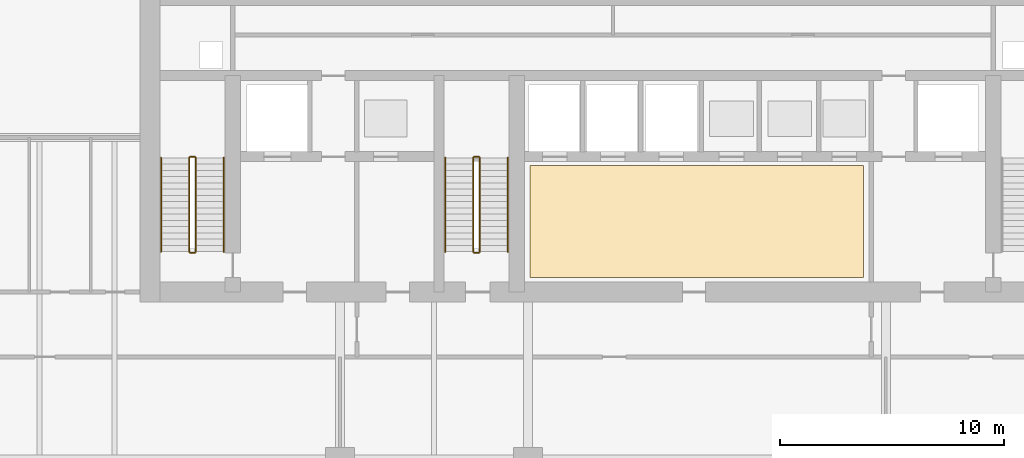
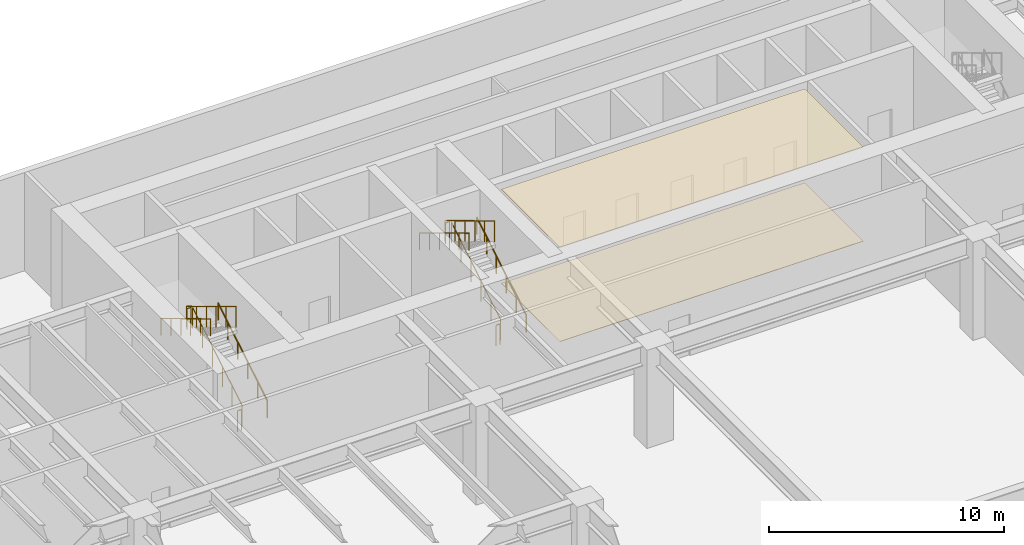
# One storey, part 9 of 11: 12 railings, 2 coverings.
"""IFC4 building model written with IfcOpenShell, lengths in metres."""

from ifc_helpers import new_model, si_unit, direction, frame, origin, origin_2d, place, context, subcontext, project, spatial, polyline, circle, outline, extrude, material, layer, layer_set, type_object, element, save


model = new_model("IFC4")

# Units and contexts
model_context = context("Model", 3, precision=1e-05, world=origin(), true_north=direction((0.0, 1.0)))
body_context = subcontext(model_context, "Body", "Model", "MODEL_VIEW")
ifc_project = project(units=[si_unit("LENGTHUNIT", "METRE"), si_unit("AREAUNIT", "SQUARE_METRE"), si_unit("VOLUMEUNIT", "CUBIC_METRE"), si_unit("PLANEANGLEUNIT", "RADIAN"), si_unit("MASSUNIT", "GRAM", prefix="KILO")], contexts=[model_context])

# Site, building, storey
site_placement = place(None, origin())
site = spatial("IfcSite", under=ifc_project, at=site_placement, CompositionType="ELEMENT")
building_placement = place(site_placement, origin())
building = spatial("IfcBuilding", under=site, at=building_placement, Name="Caelmar Bay Residences", CompositionType="ELEMENT")
storey_placement = place(building_placement, origin())
storey = spatial("IfcBuildingStorey", under=building, at=storey_placement, Name="L00", CompositionType="ELEMENT", Elevation=0.0)

# Coverings
ifc_material_1 = material(Name="Perforated acoustic gypsum-mineral ceiling tile 20 mm")
ifc_layer_1 = layer(ifc_material_1, 0.02001953125)
ifc_layer_set_1 = layer_set([ifc_layer_1], Name="Perforated acoustic gypsum-mineral ceiling tile 20 mm")
covering_type_1 = type_object("IfcCoveringType", Name="COV-CEIL-20", PredefinedType="CEILING", material=ifc_layer_set_1)
covering_1_placement = place(storey_placement, frame((0.0, 0.0, 4.8798828125)))
element("IfcCovering", 1, at=covering_1_placement, inside=storey, type_object=covering_type_1, Name="L00 Lift Lobby Acoustic Ceiling", PredefinedType="CEILING", context=body_context, shape_type="SweptSolid", body=[
    extrude(outline(polyline([(35.199951171875, 37.550048828125), (50.10009765625, 37.550048828125), (50.10009765625, 42.550048828125), (35.199951171875, 42.550048828125), (35.199951171875, 37.550048828125)])), origin(), (0.0, 0.0, 1.0), 0.02001953125),
])
ifc_material_2 = material(Name="Honed terrazzo and engineered white-oak flooring 20 mm")
ifc_layer_2 = layer(ifc_material_2, 0.02001953125)
ifc_layer_set_2 = layer_set([ifc_layer_2], Name="Honed terrazzo and engineered white-oak flooring 20 mm")
covering_type_2 = type_object("IfcCoveringType", Name="COV-FLR-20", PredefinedType="FLOORING", material=ifc_layer_set_2)
covering_2_placement = place(storey_placement, origin())
element("IfcCovering", 2, at=covering_2_placement, inside=storey, type_object=covering_type_2, Name="L00 Lift Lobby Terrazzo Flooring", PredefinedType="FLOORING", context=body_context, shape_type="SweptSolid", body=[
    extrude(outline(polyline([(35.199951171875, 37.550048828125), (50.10009765625, 37.550048828125), (50.10009765625, 42.550048828125), (35.199951171875, 42.550048828125), (35.199951171875, 37.550048828125)])), origin(), (0.0, 0.0, 1.0), 0.02001953125),
])

# Railings
ifc_material_3 = material(Name="Painted galvanized steel stair guard 1100 mm", Category="steel")
railing_type_1 = type_object("IfcRailingType", Name="RL-GRD-1100", PredefinedType="GUARDRAIL", material=ifc_material_3)
railing_1_placement = place(storey_placement, frame((20.25, 38.699951171875, 0.168701171875)))
element("IfcRailing", 3, at=railing_1_placement, inside=storey, type_object=railing_type_1, Name="L00 ST1 stair guard 1", PredefinedType="GUARDRAIL", context=body_context, shape_type="SweptSolid", body=[
    extrude(circle(Radius=0.02392578125, at=origin_2d()), frame((0.0, 0.0, 1.076171875), z_axis=(0.0, 0.856476492594, 0.516186030065), x_axis=(-1.0, 0.0, 0.0)), (0.0, 0.0, 1.0), 4.90380859375),
    extrude(circle(Radius=0.02099609375, at=origin_2d()), origin(), (0.0, 0.0, 1.0), 1.052001953125),
    extrude(circle(Radius=0.02099609375, at=origin_2d()), frame((0.0, 0.840087890625, 0.50634765625)), (0.0, 0.0, 1.0), 1.052001953125),
    extrude(circle(Radius=0.02099609375, at=origin_2d()), frame((0.0, 1.679931640625, 1.012451171875)), (0.0, 0.0, 1.0), 1.052001953125),
    extrude(circle(Radius=0.02099609375, at=origin_2d()), frame((0.0, 2.52001953125, 1.518798828125)), (0.0, 0.0, 1.0), 1.052001953125),
    extrude(circle(Radius=0.02099609375, at=origin_2d()), frame((0.0, 3.35986328125, 2.02490234375)), (0.0, 0.0, 1.0), 1.052001953125),
    extrude(circle(Radius=0.02099609375, at=origin_2d()), frame((0.0, 4.199951171875, 2.53125)), (0.0, 0.0, 1.0), 1.052001953125),
])
railing_2_placement = place(storey_placement, frame((20.199951171875, 42.949951171875, 2.699951171875)))
element("IfcRailing", 4, at=railing_2_placement, inside=storey, type_object=railing_type_1, Name="L00 ST1 stair guard 2", PredefinedType="GUARDRAIL", context=body_context, shape_type="SweptSolid", body=[
    extrude(circle(Radius=0.02392578125, at=origin_2d()), frame((0.0, 0.0, 1.076171875), z_axis=(-1.0, 0.0, 0.0), x_axis=(0.0, -1.0, 0.0)), (0.0, 0.0, 1.0), 0.199951171875),
    extrude(circle(Radius=0.02099609375, at=origin_2d()), origin(), (0.0, 0.0, 1.0), 1.052001953125),
    extrude(circle(Radius=0.02099609375, at=origin_2d()), frame((-0.199951171875, 0.0, 0.0)), (0.0, 0.0, 1.0), 1.052001953125),
])
railing_3_placement = place(storey_placement, frame((19.949951171875, 42.89990234375, 2.86865234375)))
element("IfcRailing", 5, at=railing_3_placement, inside=storey, type_object=railing_type_1, Name="L00 ST1 stair guard 3", PredefinedType="GUARDRAIL", context=body_context, shape_type="SweptSolid", body=[
    extrude(circle(Radius=0.02392578125, at=origin_2d()), frame((0.0, 0.0, 1.076171875), z_axis=(0.0, -0.856476492594, 0.516186030065), x_axis=(1.0, 0.0, 0.0)), (0.0, 0.0, 1.0), 4.90380859375),
    extrude(circle(Radius=0.02099609375, at=origin_2d()), origin(), (0.0, 0.0, 1.0), 1.052001953125),
    extrude(circle(Radius=0.02099609375, at=origin_2d()), frame((0.0, -0.840087890625, 0.50634765625)), (0.0, 0.0, 1.0), 1.052001953125),
    extrude(circle(Radius=0.02099609375, at=origin_2d()), frame((0.0, -1.679931640625, 1.012451171875)), (0.0, 0.0, 1.0), 1.052001953125),
    extrude(circle(Radius=0.02099609375, at=origin_2d()), frame((0.0, -2.52001953125, 1.518798828125)), (0.0, 0.0, 1.0), 1.052001953125),
    extrude(circle(Radius=0.02099609375, at=origin_2d()), frame((0.0, -3.35986328125, 2.02490234375)), (0.0, 0.0, 1.0), 1.052001953125),
    extrude(circle(Radius=0.02099609375, at=origin_2d()), frame((0.0, -4.199951171875, 2.53125)), (0.0, 0.0, 1.0), 1.052001953125),
])
railing_4_placement = place(storey_placement, frame((20.199951171875, 38.64990234375, 0.0)))
element("IfcRailing", 6, at=railing_4_placement, inside=storey, type_object=railing_type_1, Name="L00 ST1 stair guard 4", PredefinedType="GUARDRAIL", context=body_context, shape_type="SweptSolid", body=[
    extrude(circle(Radius=0.02392578125, at=origin_2d()), frame((0.0, 0.0, 1.076171875), z_axis=(-1.0, 0.0, 0.0), x_axis=(0.0, -1.0, 0.0)), (0.0, 0.0, 1.0), 0.199951171875),
    extrude(circle(Radius=0.02099609375, at=origin_2d()), origin(), (0.0, 0.0, 1.0), 1.052001953125),
    extrude(circle(Radius=0.02099609375, at=origin_2d()), frame((-0.199951171875, 0.0, 0.0)), (0.0, 0.0, 1.0), 1.052001953125),
])
railing_5_placement = place(storey_placement, frame((32.949951171875, 38.699951171875, 0.168701171875)))
element("IfcRailing", 7, at=railing_5_placement, inside=storey, type_object=railing_type_1, Name="L00 ST3 stair guard 1", PredefinedType="GUARDRAIL", context=body_context, shape_type="SweptSolid", body=[
    extrude(circle(Radius=0.02392578125, at=origin_2d()), frame((0.0, 0.0, 1.076171875), z_axis=(0.0, 0.856476492594, 0.516186030065), x_axis=(-1.0, 0.0, 0.0)), (0.0, 0.0, 1.0), 4.90380859375),
    extrude(circle(Radius=0.02099609375, at=origin_2d()), origin(), (0.0, 0.0, 1.0), 1.052001953125),
    extrude(circle(Radius=0.02099609375, at=origin_2d()), frame((0.0, 0.840087890625, 0.50634765625)), (0.0, 0.0, 1.0), 1.052001953125),
    extrude(circle(Radius=0.02099609375, at=origin_2d()), frame((0.0, 1.679931640625, 1.012451171875)), (0.0, 0.0, 1.0), 1.052001953125),
    extrude(circle(Radius=0.02099609375, at=origin_2d()), frame((0.0, 2.52001953125, 1.518798828125)), (0.0, 0.0, 1.0), 1.052001953125),
    extrude(circle(Radius=0.02099609375, at=origin_2d()), frame((0.0, 3.35986328125, 2.02490234375)), (0.0, 0.0, 1.0), 1.052001953125),
    extrude(circle(Radius=0.02099609375, at=origin_2d()), frame((0.0, 4.199951171875, 2.53125)), (0.0, 0.0, 1.0), 1.052001953125),
])
railing_6_placement = place(storey_placement, frame((32.89990234375, 42.949951171875, 2.699951171875)))
element("IfcRailing", 8, at=railing_6_placement, inside=storey, type_object=railing_type_1, Name="L00 ST3 stair guard 2", PredefinedType="GUARDRAIL", context=body_context, shape_type="SweptSolid", body=[
    extrude(circle(Radius=0.02392578125, at=origin_2d()), frame((0.0, 0.0, 1.076171875), z_axis=(-1.0, 0.0, 0.0), x_axis=(0.0, -1.0, 0.0)), (0.0, 0.0, 1.0), 0.199951171875),
    extrude(circle(Radius=0.02099609375, at=origin_2d()), origin(), (0.0, 0.0, 1.0), 1.052001953125),
    extrude(circle(Radius=0.02099609375, at=origin_2d()), frame((-0.199951171875, 0.0, 0.0)), (0.0, 0.0, 1.0), 1.052001953125),
])
railing_7_placement = place(storey_placement, frame((32.64990234375, 42.89990234375, 2.86865234375)))
element("IfcRailing", 9, at=railing_7_placement, inside=storey, type_object=railing_type_1, Name="L00 ST3 stair guard 3", PredefinedType="GUARDRAIL", context=body_context, shape_type="SweptSolid", body=[
    extrude(circle(Radius=0.02392578125, at=origin_2d()), frame((0.0, 0.0, 1.076171875), z_axis=(0.0, -0.856476492594, 0.516186030065), x_axis=(1.0, 0.0, 0.0)), (0.0, 0.0, 1.0), 4.90380859375),
    extrude(circle(Radius=0.02099609375, at=origin_2d()), origin(), (0.0, 0.0, 1.0), 1.052001953125),
    extrude(circle(Radius=0.02099609375, at=origin_2d()), frame((0.0, -0.840087890625, 0.50634765625)), (0.0, 0.0, 1.0), 1.052001953125),
    extrude(circle(Radius=0.02099609375, at=origin_2d()), frame((0.0, -1.679931640625, 1.012451171875)), (0.0, 0.0, 1.0), 1.052001953125),
    extrude(circle(Radius=0.02099609375, at=origin_2d()), frame((0.0, -2.52001953125, 1.518798828125)), (0.0, 0.0, 1.0), 1.052001953125),
    extrude(circle(Radius=0.02099609375, at=origin_2d()), frame((0.0, -3.35986328125, 2.02490234375)), (0.0, 0.0, 1.0), 1.052001953125),
    extrude(circle(Radius=0.02099609375, at=origin_2d()), frame((0.0, -4.199951171875, 2.53125)), (0.0, 0.0, 1.0), 1.052001953125),
])
railing_8_placement = place(storey_placement, frame((32.89990234375, 38.64990234375, 0.0)))
element("IfcRailing", 10, at=railing_8_placement, inside=storey, type_object=railing_type_1, Name="L00 ST3 stair guard 4", PredefinedType="GUARDRAIL", context=body_context, shape_type="SweptSolid", body=[
    extrude(circle(Radius=0.02392578125, at=origin_2d()), frame((0.0, 0.0, 1.076171875), z_axis=(-1.0, 0.0, 0.0), x_axis=(0.0, -1.0, 0.0)), (0.0, 0.0, 1.0), 0.199951171875),
    extrude(circle(Radius=0.02099609375, at=origin_2d()), origin(), (0.0, 0.0, 1.0), 1.052001953125),
    extrude(circle(Radius=0.02099609375, at=origin_2d()), frame((-0.199951171875, 0.0, 0.0)), (0.0, 0.0, 1.0), 1.052001953125),
])
ifc_material_4 = material(Name="Brushed bronze stainless-steel tubular handrail 900 mm", Category="steel")
railing_type_2 = type_object("IfcRailingType", Name="RL-HND-900", PredefinedType="HANDRAIL", material=ifc_material_4)
railing_9_placement = place(storey_placement, frame((21.5, 38.699951171875, 0.168701171875)))
element("IfcRailing", 11, at=railing_9_placement, inside=storey, type_object=railing_type_2, Name="L00 ST1 stair handrail 1", PredefinedType="HANDRAIL", context=body_context, shape_type="SweptSolid", body=[
    extrude(circle(Radius=0.02392578125, at=origin_2d()), frame((0.0, 0.0, 0.8759765625), z_axis=(0.0, 0.856476492594, 0.516186030065), x_axis=(-1.0, 0.0, 0.0)), (0.0, 0.0, 1.0), 4.90380859375),
    extrude(circle(Radius=0.02099609375, at=origin_2d()), origin(), (0.0, 0.0, 1.0), 0.851806640625),
    extrude(circle(Radius=0.02099609375, at=origin_2d()), frame((0.0, 0.840087890625, 0.50634765625)), (0.0, 0.0, 1.0), 0.851806640625),
    extrude(circle(Radius=0.02099609375, at=origin_2d()), frame((0.0, 1.679931640625, 1.012451171875)), (0.0, 0.0, 1.0), 0.851806640625),
    extrude(circle(Radius=0.02099609375, at=origin_2d()), frame((0.0, 2.52001953125, 1.518798828125)), (0.0, 0.0, 1.0), 0.851806640625),
    extrude(circle(Radius=0.02099609375, at=origin_2d()), frame((0.0, 3.35986328125, 2.02490234375)), (0.0, 0.0, 1.0), 0.851806640625),
    extrude(circle(Radius=0.02099609375, at=origin_2d()), frame((0.0, 4.199951171875, 2.53125)), (0.0, 0.0, 1.0), 0.851806640625),
])
railing_10_placement = place(storey_placement, frame((18.699951171875, 42.89990234375, 2.86865234375)))
element("IfcRailing", 12, at=railing_10_placement, inside=storey, type_object=railing_type_2, Name="L00 ST1 stair handrail 2", PredefinedType="HANDRAIL", context=body_context, shape_type="SweptSolid", body=[
    extrude(circle(Radius=0.02392578125, at=origin_2d()), frame((0.0, 0.0, 0.8759765625), z_axis=(0.0, -0.856476492594, 0.516186030065), x_axis=(1.0, 0.0, 0.0)), (0.0, 0.0, 1.0), 4.90380859375),
    extrude(circle(Radius=0.02099609375, at=origin_2d()), origin(), (0.0, 0.0, 1.0), 0.851806640625),
    extrude(circle(Radius=0.02099609375, at=origin_2d()), frame((0.0, -0.840087890625, 0.50634765625)), (0.0, 0.0, 1.0), 0.851806640625),
    extrude(circle(Radius=0.02099609375, at=origin_2d()), frame((0.0, -1.679931640625, 1.012451171875)), (0.0, 0.0, 1.0), 0.851806640625),
    extrude(circle(Radius=0.02099609375, at=origin_2d()), frame((0.0, -2.52001953125, 1.518798828125)), (0.0, 0.0, 1.0), 0.851806640625),
    extrude(circle(Radius=0.02099609375, at=origin_2d()), frame((0.0, -3.35986328125, 2.02490234375)), (0.0, 0.0, 1.0), 0.851806640625),
    extrude(circle(Radius=0.02099609375, at=origin_2d()), frame((0.0, -4.199951171875, 2.53125)), (0.0, 0.0, 1.0), 0.851806640625),
])
railing_11_placement = place(storey_placement, frame((34.199951171875, 38.699951171875, 0.168701171875)))
element("IfcRailing", 13, at=railing_11_placement, inside=storey, type_object=railing_type_2, Name="L00 ST3 stair handrail 1", PredefinedType="HANDRAIL", context=body_context, shape_type="SweptSolid", body=[
    extrude(circle(Radius=0.02392578125, at=origin_2d()), frame((0.0, 0.0, 0.8759765625), z_axis=(0.0, 0.856476492594, 0.516186030065), x_axis=(-1.0, 0.0, 0.0)), (0.0, 0.0, 1.0), 4.90380859375),
    extrude(circle(Radius=0.02099609375, at=origin_2d()), origin(), (0.0, 0.0, 1.0), 0.851806640625),
    extrude(circle(Radius=0.02099609375, at=origin_2d()), frame((0.0, 0.840087890625, 0.50634765625)), (0.0, 0.0, 1.0), 0.851806640625),
    extrude(circle(Radius=0.02099609375, at=origin_2d()), frame((0.0, 1.679931640625, 1.012451171875)), (0.0, 0.0, 1.0), 0.851806640625),
    extrude(circle(Radius=0.02099609375, at=origin_2d()), frame((0.0, 2.52001953125, 1.518798828125)), (0.0, 0.0, 1.0), 0.851806640625),
    extrude(circle(Radius=0.02099609375, at=origin_2d()), frame((0.0, 3.35986328125, 2.02490234375)), (0.0, 0.0, 1.0), 0.851806640625),
    extrude(circle(Radius=0.02099609375, at=origin_2d()), frame((0.0, 4.199951171875, 2.53125)), (0.0, 0.0, 1.0), 0.851806640625),
])
railing_12_placement = place(storey_placement, frame((31.39990234375, 42.89990234375, 2.86865234375)))
element("IfcRailing", 14, at=railing_12_placement, inside=storey, type_object=railing_type_2, Name="L00 ST3 stair handrail 2", PredefinedType="HANDRAIL", context=body_context, shape_type="SweptSolid", body=[
    extrude(circle(Radius=0.02392578125, at=origin_2d()), frame((0.0, 0.0, 0.8759765625), z_axis=(0.0, -0.856476492594, 0.516186030065), x_axis=(1.0, 0.0, 0.0)), (0.0, 0.0, 1.0), 4.90380859375),
    extrude(circle(Radius=0.02099609375, at=origin_2d()), origin(), (0.0, 0.0, 1.0), 0.851806640625),
    extrude(circle(Radius=0.02099609375, at=origin_2d()), frame((0.0, -0.840087890625, 0.50634765625)), (0.0, 0.0, 1.0), 0.851806640625),
    extrude(circle(Radius=0.02099609375, at=origin_2d()), frame((0.0, -1.679931640625, 1.012451171875)), (0.0, 0.0, 1.0), 0.851806640625),
    extrude(circle(Radius=0.02099609375, at=origin_2d()), frame((0.0, -2.52001953125, 1.518798828125)), (0.0, 0.0, 1.0), 0.851806640625),
    extrude(circle(Radius=0.02099609375, at=origin_2d()), frame((0.0, -3.35986328125, 2.02490234375)), (0.0, 0.0, 1.0), 0.851806640625),
    extrude(circle(Radius=0.02099609375, at=origin_2d()), frame((0.0, -4.199951171875, 2.53125)), (0.0, 0.0, 1.0), 0.851806640625),
])

save(model, "model.ifc")
